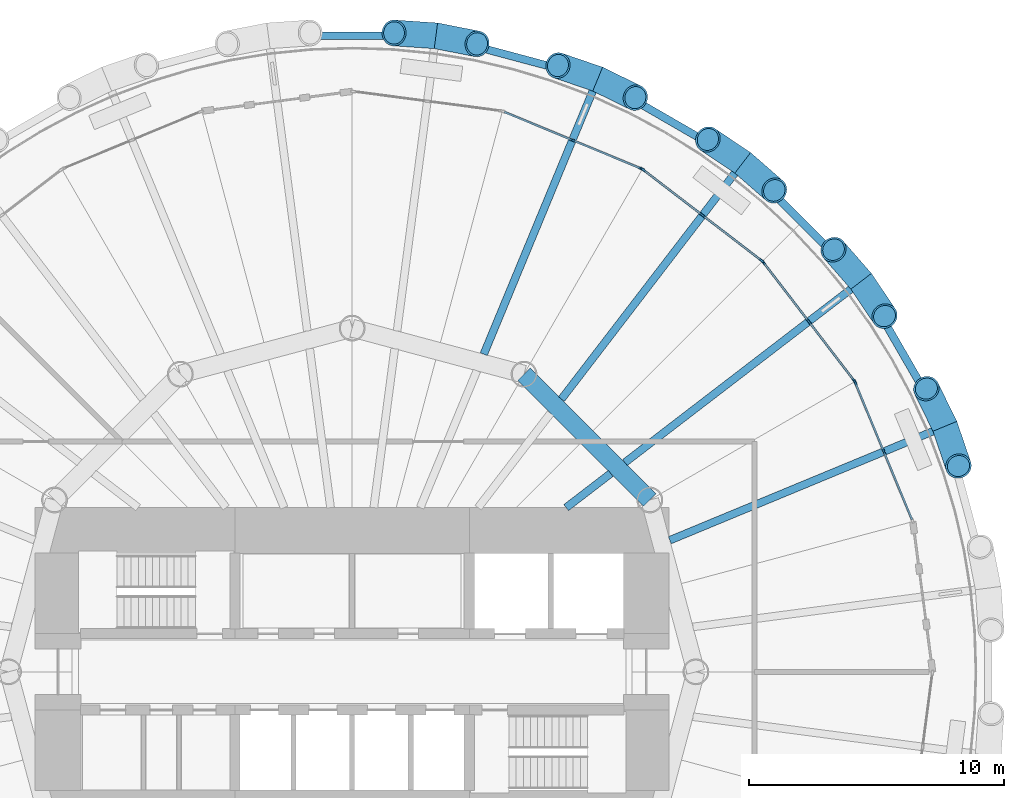
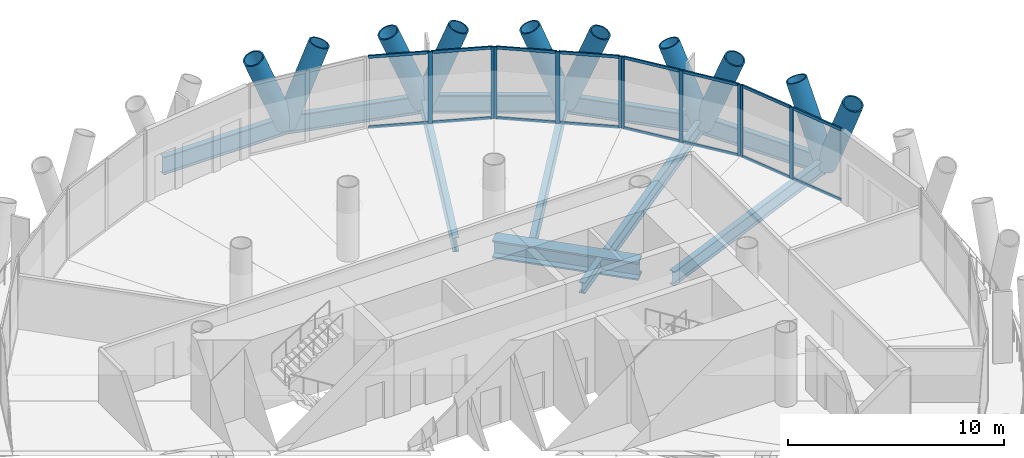
# One storey, part 6 of 14: 36 members, 11 beams, 4 elements without a shape of their own.
"""IFC4 building model written with IfcOpenShell, lengths in metres."""

from ifc_helpers import new_model, si_unit, direction, frame, origin, origin_2d, place, context, subcontext, project, spatial, rectangle, hollow_circle, i_section, extrude, material, material_profile, profile_set, type_object, element, aggregate, save


model = new_model("IFC4")

# Units and contexts
model_context = context("Model", 3, precision=1e-05, world=origin(), true_north=direction((0.0, 1.0)))
body_context = subcontext(model_context, "Body", "Model", "MODEL_VIEW")
ifc_project = project(units=[si_unit("LENGTHUNIT", "METRE"), si_unit("AREAUNIT", "SQUARE_METRE"), si_unit("VOLUMEUNIT", "CUBIC_METRE"), si_unit("PLANEANGLEUNIT", "RADIAN"), si_unit("MASSUNIT", "GRAM", prefix="KILO")], contexts=[model_context])

# Site, building, storey
site_placement = place(None, origin())
site = spatial("IfcSite", under=ifc_project, at=site_placement, CompositionType="ELEMENT")
building_placement = place(site_placement, origin())
building = spatial("IfcBuilding", under=site, at=building_placement, Name="Qaws Media Tower", CompositionType="ELEMENT")
storey_placement = place(building_placement, frame((0.0, 0.0, 118.39990234375)))
storey = spatial("IfcBuildingStorey", under=building, at=storey_placement, Name="L26", CompositionType="ELEMENT", Elevation=118.39990234375)

# Curtain wall, members
ifc_material_1 = material(Name="Aluminium and clear glass", Category="aluminium")
curtain_wall_type = type_object("IfcCurtainWallType", Name="Unitised curtain wall CW-B", PredefinedType="NOTDEFINED", material=ifc_material_1)
curtain_wall_1_placement = place(storey_placement, origin())
curtain_wall_1 = element("IfcCurtainWall", 1, at=curtain_wall_1_placement, inside=storey, type_object=curtain_wall_type, Name="CWB curtain wall L26-02", PredefinedType="NOTDEFINED")
ifc_material_2 = material(Name="Aluminium mullion", Category="aluminium")
ifc_material_profile_1 = material_profile(ifc_material_2, rectangle(XDim=0.080078125, YDim=0.199951171875, at=origin_2d()), Name="80x200")
ifc_profile_set_1 = profile_set([ifc_material_profile_1], Name="Aluminium mullion")
member_type_1 = type_object("IfcMemberType", Name="Curtain wall mullion 80x200", PredefinedType="MULLION", material=ifc_profile_set_1)
member_1_placement = place(storey_placement, frame((80.88427734375, 58.650634765625, 0.0), z_axis=(0.0, 0.0, 1.0), x_axis=(-0.923879516335, -0.382683471419, 0.0)))
member_1 = element("IfcMember", 2, at=member_1_placement, type_object=member_type_1, Name="CWB mullion 2", PredefinedType="MULLION", context=body_context, shape_type="SweptSolid", body=[
    extrude(rectangle(XDim=0.080078125, YDim=0.199951171875, at=origin_2d()), origin(), (0.0, 0.0, 1.0), 4.0400390625),
])
member_2_placement = place(storey_placement, frame((79.7607421875, 61.363037109375, 0.0), z_axis=(0.0, 0.0, 1.0), x_axis=(-0.923879516335, -0.382683471419, 0.0)))
member_2 = element("IfcMember", 3, at=member_2_placement, type_object=member_type_1, Name="CWB mullion 3", PredefinedType="MULLION", context=body_context, shape_type="SweptSolid", body=[
    extrude(rectangle(XDim=0.080078125, YDim=0.199951171875, at=origin_2d()), origin(), (0.0, 0.0, 1.0), 4.0400390625),
])

curtain_wall_2_placement = place(storey_placement, origin())
curtain_wall_2 = element("IfcCurtainWall", 4, at=curtain_wall_2_placement, inside=storey, type_object=curtain_wall_type, Name="CWB curtain wall L26-03", PredefinedType="NOTDEFINED")
member_3_placement = place(storey_placement, frame((79.720947265625, 61.431640625, 0.0), z_axis=(0.0, 0.0, 1.0), x_axis=(-0.793353412806, -0.608761334505, 0.0)))
member_3 = element("IfcMember", 5, at=member_3_placement, type_object=member_type_1, Name="CWB mullion 1", PredefinedType="MULLION", context=body_context, shape_type="SweptSolid", body=[
    extrude(rectangle(XDim=0.080078125, YDim=0.199951171875, at=origin_2d()), origin(), (0.0, 0.0, 1.0), 4.0400390625),
])
member_4_placement = place(storey_placement, frame((77.93359375, 63.760986328125, 0.0), z_axis=(0.0, 0.0, 1.0), x_axis=(-0.793353412806, -0.608761334505, 0.0)))
member_4 = element("IfcMember", 6, at=member_4_placement, type_object=member_type_1, Name="CWB mullion 2", PredefinedType="MULLION", context=body_context, shape_type="SweptSolid", body=[
    extrude(rectangle(XDim=0.080078125, YDim=0.199951171875, at=origin_2d()), origin(), (0.0, 0.0, 1.0), 4.0400390625),
])
member_5_placement = place(storey_placement, frame((76.146484375, 66.09033203125, 0.0), z_axis=(0.0, 0.0, 1.0), x_axis=(-0.793353412806, -0.608761334505, 0.0)))
member_5 = element("IfcMember", 7, at=member_5_placement, type_object=member_type_1, Name="CWB mullion 3", PredefinedType="MULLION", context=body_context, shape_type="SweptSolid", body=[
    extrude(rectangle(XDim=0.080078125, YDim=0.199951171875, at=origin_2d()), origin(), (0.0, 0.0, 1.0), 4.0400390625),
])

curtain_wall_3_placement = place(storey_placement, origin())
curtain_wall_3 = element("IfcCurtainWall", 8, at=curtain_wall_3_placement, inside=storey, type_object=curtain_wall_type, Name="CWB curtain wall L26-04", PredefinedType="NOTDEFINED")
member_6_placement = place(storey_placement, frame((76.09033203125, 66.146484375, 0.0), z_axis=(0.0, 0.0, 1.0), x_axis=(-0.608761334505, -0.793353412806, 0.0)))
member_6 = element("IfcMember", 9, at=member_6_placement, type_object=member_type_1, Name="CWB mullion 1", PredefinedType="MULLION", context=body_context, shape_type="SweptSolid", body=[
    extrude(rectangle(XDim=0.080078125, YDim=0.199951171875, at=origin_2d()), origin(), (0.0, 0.0, 1.0), 4.0400390625),
])
member_7_placement = place(storey_placement, frame((73.760986328125, 67.93359375, 0.0), z_axis=(0.0, 0.0, 1.0), x_axis=(-0.608761334505, -0.793353412806, 0.0)))
member_7 = element("IfcMember", 10, at=member_7_placement, type_object=member_type_1, Name="CWB mullion 2", PredefinedType="MULLION", context=body_context, shape_type="SweptSolid", body=[
    extrude(rectangle(XDim=0.080078125, YDim=0.199951171875, at=origin_2d()), origin(), (0.0, 0.0, 1.0), 4.0400390625),
])
member_8_placement = place(storey_placement, frame((71.431640625, 69.720947265625, 0.0), z_axis=(0.0, 0.0, 1.0), x_axis=(-0.608761334505, -0.793353412806, 0.0)))
member_8 = element("IfcMember", 11, at=member_8_placement, type_object=member_type_1, Name="CWB mullion 3", PredefinedType="MULLION", context=body_context, shape_type="SweptSolid", body=[
    extrude(rectangle(XDim=0.080078125, YDim=0.199951171875, at=origin_2d()), origin(), (0.0, 0.0, 1.0), 4.0400390625),
])

curtain_wall_4_placement = place(storey_placement, origin())
curtain_wall_4 = element("IfcCurtainWall", 12, at=curtain_wall_4_placement, inside=storey, type_object=curtain_wall_type, Name="CWB curtain wall L26-05", PredefinedType="NOTDEFINED")
member_9_placement = place(storey_placement, frame((71.363037109375, 69.7607421875, 0.0), z_axis=(0.0, 0.0, 1.0), x_axis=(-0.382683471419, -0.923879516335, 0.0)))
member_9 = element("IfcMember", 13, at=member_9_placement, type_object=member_type_1, Name="CWB mullion 1", PredefinedType="MULLION", context=body_context, shape_type="SweptSolid", body=[
    extrude(rectangle(XDim=0.080078125, YDim=0.199951171875, at=origin_2d()), origin(), (0.0, 0.0, 1.0), 4.0400390625),
])
member_10_placement = place(storey_placement, frame((68.650634765625, 70.88427734375, 0.0), z_axis=(0.0, 0.0, 1.0), x_axis=(-0.382683471419, -0.923879516335, 0.0)))
member_10 = element("IfcMember", 14, at=member_10_placement, type_object=member_type_1, Name="CWB mullion 2", PredefinedType="MULLION", context=body_context, shape_type="SweptSolid", body=[
    extrude(rectangle(XDim=0.080078125, YDim=0.199951171875, at=origin_2d()), origin(), (0.0, 0.0, 1.0), 4.0400390625),
])

# Member
ifc_material_3 = material(Name="Aluminium transom", Category="aluminium")
ifc_material_profile_2 = material_profile(ifc_material_3, rectangle(XDim=0.080078125, YDim=0.159912109375, at=origin_2d()), Name="80x160")
ifc_profile_set_2 = profile_set([ifc_material_profile_2], Name="Aluminium transom")
member_type_2 = type_object("IfcMemberType", Name="Curtain wall transom 80x160", PredefinedType="USERDEFINED", material=ifc_profile_set_2)
member_11_placement = place(storey_placement, frame((81.992431640625, 55.97509765625, 0.0400390625), z_axis=(-0.382653808485, 0.923891802568, 0.0), x_axis=(-0.923891802568, -0.382653808485, 0.0)))
member_11 = element("IfcMember", 15, at=member_11_placement, type_object=member_type_2, Name="CWB transom 1.1", ObjectType="TRANSOM", PredefinedType="USERDEFINED", context=body_context, shape_type="SweptSolid", body=[
    extrude(rectangle(XDim=0.080078125, YDim=0.159912109375, at=origin_2d()), origin(), (0.0, 0.0, 1.0), 2.855712890625),
])

member_12_placement = place(storey_placement, frame((81.992431640625, 55.97509765625, 4.0), z_axis=(-0.382653808485, 0.923891802568, 0.0), x_axis=(-0.923891802568, -0.382653808485, 0.0)))
member_12 = element("IfcMember", 16, at=member_12_placement, type_object=member_type_2, Name="CWB transom 1.2", ObjectType="TRANSOM", PredefinedType="USERDEFINED", context=body_context, shape_type="SweptSolid", body=[
    extrude(rectangle(XDim=0.080078125, YDim=0.159912109375, at=origin_2d()), origin(), (0.0, 0.0, 1.0), 2.855712890625),
])

member_13_placement = place(storey_placement, frame((80.868896484375, 58.6875, 0.0400390625), z_axis=(-0.382696552241, 0.923874097972, 0.0), x_axis=(-0.923874097972, -0.382696552241, 0.0)))
member_13 = element("IfcMember", 17, at=member_13_placement, type_object=member_type_2, Name="CWB transom 2.1", ObjectType="TRANSOM", PredefinedType="USERDEFINED", context=body_context, shape_type="SweptSolid", body=[
    extrude(rectangle(XDim=0.080078125, YDim=0.159912109375, at=origin_2d()), origin(), (0.0, 0.0, 1.0), 2.856201171875),
])

member_14_placement = place(storey_placement, frame((80.868896484375, 58.6875, 4.0), z_axis=(-0.382696552241, 0.923874097972, 0.0), x_axis=(-0.923874097972, -0.382696552241, 0.0)))
member_14 = element("IfcMember", 18, at=member_14_placement, type_object=member_type_2, Name="CWB transom 2.2", ObjectType="TRANSOM", PredefinedType="USERDEFINED", context=body_context, shape_type="SweptSolid", body=[
    extrude(rectangle(XDim=0.080078125, YDim=0.159912109375, at=origin_2d()), origin(), (0.0, 0.0, 1.0), 2.856201171875),
])

aggregate(curtain_wall_1, [member_1, member_2, member_11, member_12, member_13, member_14])

member_15_placement = place(storey_placement, frame((79.69677734375, 61.46337890625, 0.0400390625), z_axis=(-0.608785005928, 0.793335248528, 0.0), x_axis=(-0.793335248528, -0.608785005928, 0.0)))
member_15 = element("IfcMember", 19, at=member_15_placement, type_object=member_type_2, Name="CWB transom 1.1", ObjectType="TRANSOM", PredefinedType="USERDEFINED", context=body_context, shape_type="SweptSolid", body=[
    extrude(rectangle(XDim=0.080078125, YDim=0.159912109375, at=origin_2d()), origin(), (0.0, 0.0, 1.0), 2.856201171875),
])

member_16_placement = place(storey_placement, frame((79.69677734375, 61.46337890625, 4.0), z_axis=(-0.608785005928, 0.793335248528, 0.0), x_axis=(-0.793335248528, -0.608785005928, 0.0)))
member_16 = element("IfcMember", 20, at=member_16_placement, type_object=member_type_2, Name="CWB transom 1.2", ObjectType="TRANSOM", PredefinedType="USERDEFINED", context=body_context, shape_type="SweptSolid", body=[
    extrude(rectangle(XDim=0.080078125, YDim=0.159912109375, at=origin_2d()), origin(), (0.0, 0.0, 1.0), 2.856201171875),
])

member_17_placement = place(storey_placement, frame((77.909423828125, 63.792724609375, 0.0400390625), z_axis=(-0.608785005928, 0.793335248528, 0.0), x_axis=(-0.793335248528, -0.608785005928, 0.0)))
member_17 = element("IfcMember", 21, at=member_17_placement, type_object=member_type_2, Name="CWB transom 2.1", ObjectType="TRANSOM", PredefinedType="USERDEFINED", context=body_context, shape_type="SweptSolid", body=[
    extrude(rectangle(XDim=0.080078125, YDim=0.159912109375, at=origin_2d()), origin(), (0.0, 0.0, 1.0), 2.856201171875),
])

member_18_placement = place(storey_placement, frame((77.909423828125, 63.792724609375, 4.0), z_axis=(-0.608785005928, 0.793335248528, 0.0), x_axis=(-0.793335248528, -0.608785005928, 0.0)))
member_18 = element("IfcMember", 22, at=member_18_placement, type_object=member_type_2, Name="CWB transom 2.2", ObjectType="TRANSOM", PredefinedType="USERDEFINED", context=body_context, shape_type="SweptSolid", body=[
    extrude(rectangle(XDim=0.080078125, YDim=0.159912109375, at=origin_2d()), origin(), (0.0, 0.0, 1.0), 2.856201171875),
])

aggregate(curtain_wall_2, [member_3, member_4, member_5, member_15, member_16, member_17, member_18])

member_19_placement = place(storey_placement, frame((76.05859375, 66.170654296875, 0.0400390625), z_axis=(-0.793335248528, 0.608785005928, 0.0), x_axis=(-0.608785005928, -0.793335248528, 0.0)))
member_19 = element("IfcMember", 23, at=member_19_placement, type_object=member_type_2, Name="CWB transom 1.1", ObjectType="TRANSOM", PredefinedType="USERDEFINED", context=body_context, shape_type="SweptSolid", body=[
    extrude(rectangle(XDim=0.080078125, YDim=0.159912109375, at=origin_2d()), origin(), (0.0, 0.0, 1.0), 2.856201171875),
])

member_20_placement = place(storey_placement, frame((76.05859375, 66.170654296875, 4.0), z_axis=(-0.793335248528, 0.608785005928, 0.0), x_axis=(-0.608785005928, -0.793335248528, 0.0)))
member_20 = element("IfcMember", 24, at=member_20_placement, type_object=member_type_2, Name="CWB transom 1.2", ObjectType="TRANSOM", PredefinedType="USERDEFINED", context=body_context, shape_type="SweptSolid", body=[
    extrude(rectangle(XDim=0.080078125, YDim=0.159912109375, at=origin_2d()), origin(), (0.0, 0.0, 1.0), 2.856201171875),
])

member_21_placement = place(storey_placement, frame((73.729248046875, 67.9580078125, 0.0400390625), z_axis=(-0.793335248528, 0.608785005928, 0.0), x_axis=(-0.608785005928, -0.793335248528, 0.0)))
member_21 = element("IfcMember", 25, at=member_21_placement, type_object=member_type_2, Name="CWB transom 2.1", ObjectType="TRANSOM", PredefinedType="USERDEFINED", context=body_context, shape_type="SweptSolid", body=[
    extrude(rectangle(XDim=0.080078125, YDim=0.159912109375, at=origin_2d()), origin(), (0.0, 0.0, 1.0), 2.856201171875),
])

member_22_placement = place(storey_placement, frame((73.729248046875, 67.9580078125, 4.0), z_axis=(-0.793335248528, 0.608785005928, 0.0), x_axis=(-0.608785005928, -0.793335248528, 0.0)))
member_22 = element("IfcMember", 26, at=member_22_placement, type_object=member_type_2, Name="CWB transom 2.2", ObjectType="TRANSOM", PredefinedType="USERDEFINED", context=body_context, shape_type="SweptSolid", body=[
    extrude(rectangle(XDim=0.080078125, YDim=0.159912109375, at=origin_2d()), origin(), (0.0, 0.0, 1.0), 2.856201171875),
])

aggregate(curtain_wall_3, [member_6, member_7, member_8, member_19, member_20, member_21, member_22])

member_23_placement = place(storey_placement, frame((71.326171875, 69.77587890625, 0.0400390625), z_axis=(-0.923874097972, 0.382696552241, 0.0), x_axis=(-0.382696552241, -0.923874097972, 0.0)))
member_23 = element("IfcMember", 27, at=member_23_placement, type_object=member_type_2, Name="CWB transom 1.1", ObjectType="TRANSOM", PredefinedType="USERDEFINED", context=body_context, shape_type="SweptSolid", body=[
    extrude(rectangle(XDim=0.080078125, YDim=0.159912109375, at=origin_2d()), origin(), (0.0, 0.0, 1.0), 2.856201171875),
])

member_24_placement = place(storey_placement, frame((71.326171875, 69.77587890625, 4.0), z_axis=(-0.923874097972, 0.382696552241, 0.0), x_axis=(-0.382696552241, -0.923874097972, 0.0)))
member_24 = element("IfcMember", 28, at=member_24_placement, type_object=member_type_2, Name="CWB transom 1.2", ObjectType="TRANSOM", PredefinedType="USERDEFINED", context=body_context, shape_type="SweptSolid", body=[
    extrude(rectangle(XDim=0.080078125, YDim=0.159912109375, at=origin_2d()), origin(), (0.0, 0.0, 1.0), 2.856201171875),
])

member_25_placement = place(storey_placement, frame((68.613525390625, 70.899658203125, 0.0400390625), z_axis=(-0.923891802568, 0.382653808485, 0.0), x_axis=(-0.382653808485, -0.923891802568, 0.0)))
member_25 = element("IfcMember", 29, at=member_25_placement, type_object=member_type_2, Name="CWB transom 2.1", ObjectType="TRANSOM", PredefinedType="USERDEFINED", context=body_context, shape_type="SweptSolid", body=[
    extrude(rectangle(XDim=0.080078125, YDim=0.159912109375, at=origin_2d()), origin(), (0.0, 0.0, 1.0), 2.855712890625),
])

member_26_placement = place(storey_placement, frame((68.613525390625, 70.899658203125, 4.0), z_axis=(-0.923891802568, 0.382653808485, 0.0), x_axis=(-0.382653808485, -0.923891802568, 0.0)))
member_26 = element("IfcMember", 30, at=member_26_placement, type_object=member_type_2, Name="CWB transom 2.2", ObjectType="TRANSOM", PredefinedType="USERDEFINED", context=body_context, shape_type="SweptSolid", body=[
    extrude(rectangle(XDim=0.080078125, YDim=0.159912109375, at=origin_2d()), origin(), (0.0, 0.0, 1.0), 2.855712890625),
])

aggregate(curtain_wall_4, [member_9, member_10, member_23, member_24, member_25, member_26])

# Members
ifc_material_4 = material(Name="Steel S460", Category="steel")
ifc_material_profile_3 = material_profile(ifc_material_4, hollow_circle(Radius=0.508056640625, WallThickness=0.070068359375, at=origin_2d()), Name="CHS 1016x70")
ifc_profile_set_3 = profile_set([ifc_material_profile_3], Name="Steel S460")
member_type_3 = type_object("IfcMemberType", Name="Diagrid member CHS 1016x70", PredefinedType="USERDEFINED", material=ifc_profile_set_3)
for number, where, z_axis, x_axis, name in (
    (31, (83.28173828125, 59.6435546875, -0.663818359375), (-0.160766634371, 0.328026703991, 0.930888054893), (-0.897954010006, -0.440089304475, 0.0), "DG3 diagrid L26 A02"),
    (32, (83.28173828125, 59.6435546875, -0.663818359375), (0.118235791731, -0.34561647679, 0.930897173981), (0.946165178877, 0.32368418911, 0.0), "DG3 diagrid L26 B02"),
    (33, (79.992431640625, 65.3408203125, -0.663818359375), (-0.240203895342, 0.275214465355, 0.930891554759), (-0.753401974381, -0.657560236783, 0.0), "DG3 diagrid L26 A03"),
    (34, (79.992431640625, 65.3408203125, -0.663818359375), (0.203678066954, -0.303244390863, 0.93089101642), (0.83013101986, 0.557568372369, 0.0), "DG3 diagrid L26 B03"),
    (35, (75.3408203125, 69.992431640625, -0.663818359375), (-0.303244390863, 0.203678066954, 0.93089101642), (-0.557568372369, -0.83013101986, 0.0), "DG3 diagrid L26 A04"),
    (36, (75.3408203125, 69.992431640625, -0.663818359375), (0.275214465355, -0.240203895342, 0.930891554759), (0.657560236783, 0.753401974381, 0.0), "DG3 diagrid L26 B04"),
    (37, (69.6435546875, 73.28173828125, -0.663818359375), (-0.34561647679, 0.118235791731, 0.930897173981), (-0.32368418911, -0.946165178877, 0.0), "DG3 diagrid L26 A05"),
    (38, (69.6435546875, 73.28173828125, -0.663818359375), (0.328026703991, -0.160766634371, 0.930888054893), (0.440089304475, 0.897954010006, 0.0), "DG3 diagrid L26 B05"),
    (39, (63.289306640625, 74.984375, -0.663818359375), (-0.364493482667, 0.024782959481, 0.930876095951), (-0.067836250378, -0.997696468439, 0.0), "DG3 diagrid L26 A06"),
    (40, (63.289306640625, 74.984375, -0.663818359375), (0.358440096389, -0.070400145743, 0.930894471344), (0.192724927899, 0.981252822756, 0.0), "DG3 diagrid L26 B06"),
):
    element("IfcMember", number, at=place(storey_placement, frame(where, z_axis=z_axis, x_axis=x_axis)), inside=storey, type_object=member_type_3, Name=name, ObjectType="DIAGRID", PredefinedType="USERDEFINED", context=body_context, shape_type="SweptSolid", body=[
        extrude(hollow_circle(Radius=0.508056640625, WallThickness=0.070068359375, at=origin_2d()), origin(), (0.0, 0.0, 1.0), 4.51171875),
    ])

# Beams
ifc_material_5 = material(Name="Steel S460", Category="steel")
ifc_material_profile_4 = material_profile(ifc_material_5, i_section(OverallWidth=0.302001953125, OverallDepth=1.008056640625, WebThickness=0.02099609375, FlangeThickness=0.0400390625, FilletRadius=0.030029296875, at=origin_2d()), Name="HE 1000 M")
ifc_profile_set_4 = profile_set([ifc_material_profile_4], Name="Steel S460")
beam_type_1 = type_object("IfcBeamType", Name="Edge ring beam HE 1000 M", PredefinedType="BEAM", material=ifc_profile_set_4)
beam_1_placement = place(storey_placement, frame((83.28173828125, 59.6435546875, -0.663818359375), z_axis=(-0.499998722954, 0.866026141086, 0.0), x_axis=(-0.866026141086, -0.499998722954, 0.0)))
element("IfcBeam", 41, at=beam_1_placement, inside=storey, type_object=beam_type_1, Name="RB3 edge ring beam L26-02", PredefinedType="BEAM", context=body_context, shape_type="SweptSolid", body=[
    extrude(i_section(OverallWidth=0.302001953125, OverallDepth=1.008056640625, WebThickness=0.02099609375, FlangeThickness=0.0400390625, FilletRadius=0.030029296875, at=origin_2d()), origin(), (0.0, 0.0, 1.0), 6.57861328125),
])
beam_2_placement = place(storey_placement, frame((79.992431640625, 65.3408203125, -0.663818359375), z_axis=(-0.707106781187, 0.707106781187, 0.0), x_axis=(-0.707106781187, -0.707106781187, 0.0)))
element("IfcBeam", 42, at=beam_2_placement, inside=storey, type_object=beam_type_1, Name="RB3 edge ring beam L26-03", PredefinedType="BEAM", context=body_context, shape_type="SweptSolid", body=[
    extrude(i_section(OverallWidth=0.302001953125, OverallDepth=1.008056640625, WebThickness=0.02099609375, FlangeThickness=0.0400390625, FilletRadius=0.030029296875, at=origin_2d()), origin(), (0.0, 0.0, 1.0), 6.578369140625),
])
beam_3_placement = place(storey_placement, frame((75.3408203125, 69.992431640625, -0.663818359375), z_axis=(-0.866026141086, 0.499998722954, 0.0), x_axis=(-0.499998722954, -0.866026141086, 0.0)))
element("IfcBeam", 43, at=beam_3_placement, inside=storey, type_object=beam_type_1, Name="RB3 edge ring beam L26-04", PredefinedType="BEAM", context=body_context, shape_type="SweptSolid", body=[
    extrude(i_section(OverallWidth=0.302001953125, OverallDepth=1.008056640625, WebThickness=0.02099609375, FlangeThickness=0.0400390625, FilletRadius=0.030029296875, at=origin_2d()), origin(), (0.0, 0.0, 1.0), 6.57861328125),
])
beam_4_placement = place(storey_placement, frame((69.6435546875, 73.28173828125, -0.663818359375), z_axis=(-0.965925024947, 0.258822035732, 0.0), x_axis=(-0.258822035732, -0.965925024947, 0.0)))
element("IfcBeam", 44, at=beam_4_placement, inside=storey, type_object=beam_type_1, Name="RB3 edge ring beam L26-05", PredefinedType="BEAM", context=body_context, shape_type="SweptSolid", body=[
    extrude(i_section(OverallWidth=0.302001953125, OverallDepth=1.008056640625, WebThickness=0.02099609375, FlangeThickness=0.0400390625, FilletRadius=0.030029296875, at=origin_2d()), origin(), (0.0, 0.0, 1.0), 6.578369140625),
])
beam_5_placement = place(storey_placement, frame((63.289306640625, 74.984375, -0.663818359375), z_axis=(-1.0, 0.0, 0.0), x_axis=(0.0, -1.0, 0.0)))
element("IfcBeam", 45, at=beam_5_placement, inside=storey, type_object=beam_type_1, Name="RB3 edge ring beam L26-06", PredefinedType="BEAM", context=body_context, shape_type="SweptSolid", body=[
    extrude(i_section(OverallWidth=0.302001953125, OverallDepth=1.008056640625, WebThickness=0.02099609375, FlangeThickness=0.0400390625, FilletRadius=0.030029296875, at=origin_2d()), origin(), (0.0, 0.0, 1.0), 6.57861328125),
])
ifc_material_6 = material(Name="Steel S460", Category="steel")
ifc_material_profile_5 = material_profile(ifc_material_6, i_section(OverallWidth=0.699951171875, OverallDepth=1.0, WebThickness=0.034912109375, FlangeThickness=0.090087890625, at=origin_2d()), Name="PG 1000x700")
ifc_profile_set_5 = profile_set([ifc_material_profile_5], Name="Steel S460")
beam_type_2 = type_object("IfcBeamType", Name="Inner ring girder PG 1000x700", PredefinedType="BEAM", material=ifc_profile_set_5)
beam_6_placement = place(storey_placement, frame((71.69140625, 56.75, -0.659912109375), z_axis=(-0.707106781187, 0.707106781187, 0.0), x_axis=(-0.707106781187, -0.707106781187, 0.0)))
element("IfcBeam", 46, at=beam_6_placement, inside=storey, type_object=beam_type_2, Name="B3 inner ring beam L26 I02-I03", PredefinedType="BEAM", context=body_context, shape_type="SweptSolid", body=[
    extrude(i_section(OverallWidth=0.699951171875, OverallDepth=1.0, WebThickness=0.034912109375, FlangeThickness=0.090087890625, at=origin_2d()), origin(), (0.0, 0.0, 1.0), 6.98828125),
])
ifc_material_7 = material(Name="Steel S355", Category="steel")
ifc_material_profile_6 = material_profile(ifc_material_7, i_section(OverallWidth=0.304931640625, OverallDepth=0.6201171875, WebThickness=0.02099609375, FlangeThickness=0.0400390625, FilletRadius=0.027099609375, at=origin_2d()), Name="HE 600 M")
ifc_profile_set_6 = profile_set([ifc_material_profile_6], Name="Steel S355")
beam_type_3 = type_object("IfcBeamType", Name="Radial beam HE 600 M, core side", PredefinedType="BEAM", material=ifc_profile_set_6)
beam_7_placement = place(storey_placement, frame((68.40576171875, 56.449951171875, -0.469970703125), z_axis=(0.793372769304, 0.608736107789, 0.0), x_axis=(-0.608736107789, 0.793372769304, 0.0)))
element("IfcBeam", 47, at=beam_7_placement, inside=storey, type_object=beam_type_3, Name="B2 radial beam L26 03", PredefinedType="BEAM", context=body_context, shape_type="SweptSolid", body=[
    extrude(i_section(OverallWidth=0.304931640625, OverallDepth=0.6201171875, WebThickness=0.02099609375, FlangeThickness=0.0400390625, FilletRadius=0.027099609375, at=origin_2d()), origin(), (0.0, 0.0, 1.0), 2.204345703125),
])
ifc_material_8 = material(Name="Steel S355", Category="steel")
ifc_material_profile_7 = material_profile(ifc_material_8, i_section(OverallWidth=0.300048828125, OverallDepth=0.800048828125, WebThickness=0.017578125, FlangeThickness=0.032958984375, FilletRadius=0.030029296875, at=origin_2d()), Name="HE 800 B")
ifc_profile_set_7 = profile_set([ifc_material_profile_7], Name="Steel S355")
beam_type_4 = type_object("IfcBeamType", Name="Radial beam HE 800 B", PredefinedType="BEAM", material=ifc_profile_set_7)
for number, where, z_axis, x_axis, name in (
    (48, (72.4775390625, 55.16845703125, -0.559814453125), (0.923884012684, 0.382672616091, 0.0), (-0.382672616091, 0.923884012684, 0.0), "B1 radial beam L26 02"),
    (49, (70.714599609375, 58.2216796875, -0.559814453125), (0.793352938974, 0.608761952015, 0.0), (-0.608761952015, 0.793352938974, 0.0), "B1 radial beam L26 03"),
    (50, (68.2216796875, 60.714599609375, -0.559814453125), (0.608761952015, 0.793352938974, 0.0), (-0.793352938974, 0.608761952015, 0.0), "B1 radial beam L26 04"),
    (51, (65.16845703125, 62.4775390625, -0.559814453125), (0.382672616091, 0.923884012684, 0.0), (-0.923884012684, 0.382672616091, 0.0), "B1 radial beam L26 05"),
):
    element("IfcBeam", number, at=place(storey_placement, frame(where, z_axis=z_axis, x_axis=x_axis)), inside=storey, type_object=beam_type_4, Name=name, PredefinedType="BEAM", context=body_context, shape_type="SweptSolid", body=[
        extrude(i_section(OverallWidth=0.300048828125, OverallDepth=0.800048828125, WebThickness=0.017578125, FlangeThickness=0.032958984375, FilletRadius=0.030029296875, at=origin_2d()), origin(), (0.0, 0.0, 1.0), 11.6943359375),
    ])

save(model, "model.ifc")
